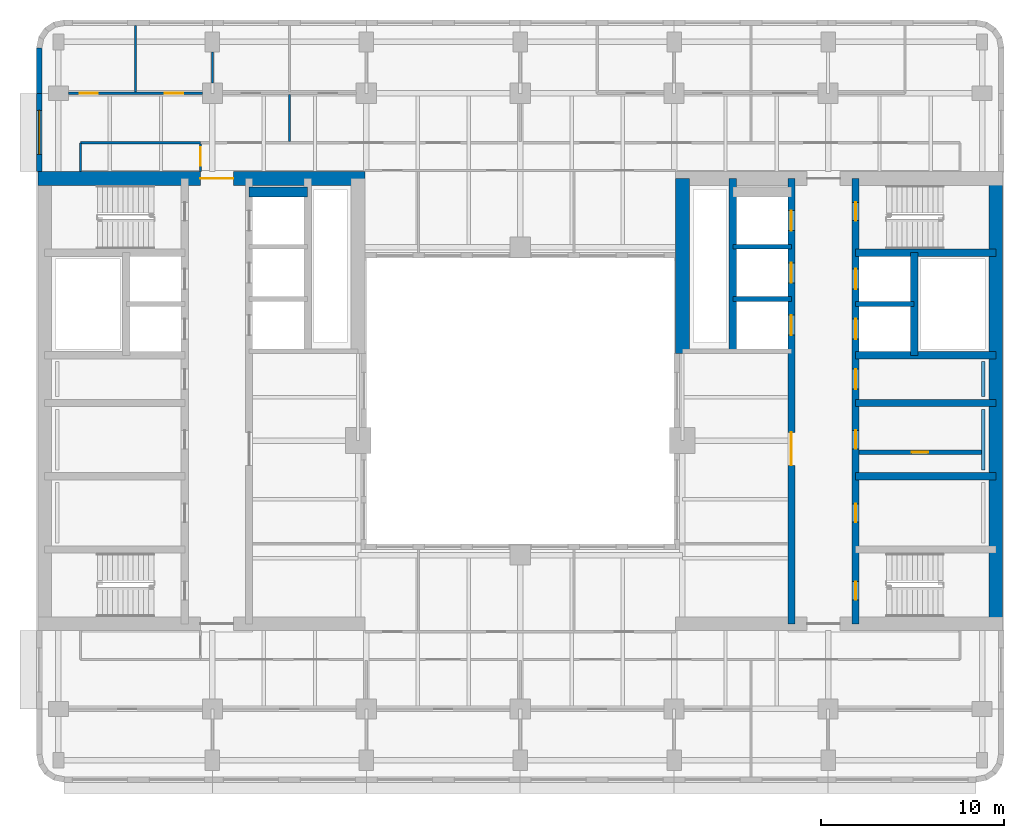
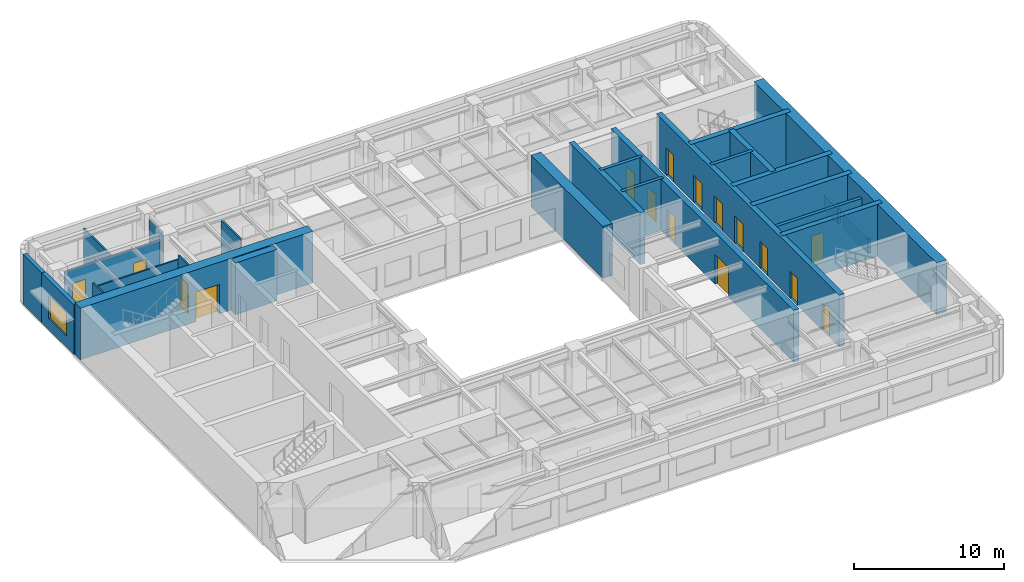
# One storey, part 6 of 11: 27 walls, 16 doors, 1 window, 17 openings.
"""IFC4 building model written with IfcOpenShell, lengths in metres."""

import ifcopenshell
import ifcopenshell.guid

model = None  # the IFC model being written
_history = None  # IfcOwnerHistory: only IFC2X3 demands one
_inside = {}  # id of a spatial element -> (the spatial element, [elements in it])
_under = {}  # id of a project, library or spatial element -> (it, [spatial elements below it])
_declared = {}  # id of a project -> (the project, [libraries it declares])
_typed = {}  # id of a type object -> (the type object, [elements of that type])
_made_of = {}  # id of a material, layer set ... -> (it, [elements and type objects made of it])


def new_model(schema):
    """Start an empty IFC model of exactly this schema.

    Asked for "IFC4X3", IfcOpenShell would pick the latest addendum, in which some entities
    have other attributes; the version numbers below select the first issue.
    IFC2X3 requires an IfcOwnerHistory on every rooted entity: one is made here for all.
    """
    global model, _history
    if schema == "IFC4X3":
        model = ifcopenshell.file(schema_version=(4, 3, 0, 0))
    else:
        model = ifcopenshell.file(schema=schema)
    _inside.clear()
    _under.clear()
    _declared.clear()
    _typed.clear()
    _made_of.clear()
    _history = None
    if model.schema == "IFC2X3":
        org = make("IfcOrganization", Name="unknown")
        user = make(
            "IfcPersonAndOrganization",
            ThePerson=make("IfcPerson", FamilyName="unknown"),
            TheOrganization=org,
        )
        app = make(
            "IfcApplication",
            ApplicationDeveloper=org,
            Version="unknown",
            ApplicationFullName="unknown",
            ApplicationIdentifier="unknown",
        )
        _history = make(
            "IfcOwnerHistory",
            OwningUser=user,
            OwningApplication=app,
            ChangeAction="ADDED",
            CreationDate=0,
        )
    return model


def make(cls, **values):
    """One entity of the class cls with the attributes given. An attribute that is None is left unset."""
    return model.create_entity(
        cls, **{name: value for name, value in values.items() if value is not None}
    )


def rooted(cls, **values):
    """An entity with a GlobalId (a new one), such as an element, a storey or a relation."""
    return make(cls, GlobalId=ifcopenshell.guid.new(), OwnerHistory=_history, **values)


def si_unit(unit_type, name, prefix=None):
    """IfcSIUnit, for example si_unit("LENGTHUNIT", "METRE", prefix="MILLI")."""
    return make("IfcSIUnit", UnitType=unit_type, Prefix=prefix, Name=name)


def assignment(units):
    """IfcUnitAssignment: the units of a project."""
    return None if units is None else make("IfcUnitAssignment", Units=units)


def point(xyz):
    """IfcCartesianPoint."""
    return None if xyz is None else make("IfcCartesianPoint", Coordinates=xyz)


def direction(xyz):
    """IfcDirection."""
    return None if xyz is None else make("IfcDirection", DirectionRatios=xyz)


def frame(location, z_axis=None, x_axis=None):
    """IfcAxis2Placement3D, a coordinate frame: its origin and axes. An axis left out is left unset."""
    return make(
        "IfcAxis2Placement3D",
        Location=point(location),
        Axis=direction(z_axis),
        RefDirection=direction(x_axis),
    )


def frame_2d(location, x_axis=None):
    """IfcAxis2Placement2D, a coordinate frame in the plane: its origin and x axis."""
    return make(
        "IfcAxis2Placement2D", Location=point(location), RefDirection=direction(x_axis)
    )


def origin():
    """The frame at (0, 0, 0) with its axes left unset."""
    return frame((0.0, 0.0, 0.0))


def place(relative_to, where):
    """IfcLocalPlacement: puts the frame where relative to a parent placement (None: the world)."""
    return make(
        "IfcLocalPlacement", PlacementRelTo=relative_to, RelativePlacement=where
    )


def context(
    kind, dimensions, precision=None, world=None, true_north=None, identifier=None
):
    """IfcGeometricRepresentationContext, for example the 3D "Model" context."""
    return make(
        "IfcGeometricRepresentationContext",
        ContextIdentifier=identifier,
        ContextType=kind,
        CoordinateSpaceDimension=dimensions,
        Precision=precision,
        WorldCoordinateSystem=world,
        TrueNorth=true_north,
    )


def subcontext(parent, identifier, kind, view, scale=None):
    """IfcGeometricRepresentationSubContext, for example "Body" below "Model"."""
    return make(
        "IfcGeometricRepresentationSubContext",
        ContextIdentifier=identifier,
        ContextType=kind,
        ParentContext=parent,
        TargetScale=scale,
        TargetView=view,
    )


def project(units=None, contexts=None):
    """IfcProject with its units and contexts."""
    return rooted(
        "IfcProject",
        Name="project",
        RepresentationContexts=contexts,
        UnitsInContext=assignment(units),
    )


def spatial(cls, under=None, at=None, **own):
    """A site, building, storey or space (cls), placed at a placement, below another one or the project."""
    s = rooted(cls, ObjectPlacement=at, **own)
    if under is not None:
        _under.setdefault(under.id(), (under, []))[1].append(s)
    return s


def profile(cls, at=None, kind="AREA", **sizes):
    """A parametric profile (cls). Its sizes go by their IFC names, for example OverallWidth=200.0."""
    return make(cls, ProfileType=kind, Position=at, **sizes)


def rectangle(**sizes):
    """IfcRectangleProfileDef."""
    return profile("IfcRectangleProfileDef", **sizes)


def extrude(swept, where, along, depth):
    """IfcExtrudedAreaSolid: the profile swept, set in the frame where, extruded along a direction by depth."""
    return make(
        "IfcExtrudedAreaSolid",
        SweptArea=swept,
        Position=where,
        ExtrudedDirection=direction(along),
        Depth=depth,
    )


def shape(context_of_items, identifier, shape_type, items):
    """IfcShapeRepresentation: the items that make up one representation, for example the "Body"."""
    return make(
        "IfcShapeRepresentation",
        ContextOfItems=context_of_items,
        RepresentationIdentifier=identifier,
        RepresentationType=shape_type,
        Items=items,
    )


def material(Name=None, Category=None):
    """IfcMaterial."""
    return make("IfcMaterial", Name=Name, Category=Category)


def layer(
    of_material, thickness, ventilated=None, Name=None, Category=None, Priority=None
):
    """IfcMaterialLayer: one layer of a wall or slab, of a material (None: an air gap)."""
    return make(
        "IfcMaterialLayer",
        Material=of_material,
        LayerThickness=thickness,
        IsVentilated=ventilated,
        Name=Name,
        Category=Category,
        Priority=Priority,
    )


def layer_set(layers, Name=None):
    """IfcMaterialLayerSet."""
    return make("IfcMaterialLayerSet", MaterialLayers=layers, LayerSetName=Name)


def made_of(thing, what):
    """Note that an element or type object is made of a material, layer set ...; save() writes the relation."""
    if what is not None:
        _made_of.setdefault(what.id(), (what, []))[1].append(thing)
    return thing


def type_object(cls, material=None, **own):
    """A type object (cls), such as IfcWallType, which elements share."""
    return made_of(rooted(cls, **own), material)


def element(
    cls,
    number,
    at=None,
    inside=None,
    cuts=None,
    type_object=None,
    material=None,
    context=None,
    identifier="Body",
    shape_type=None,
    held_by="IfcProductDefinitionShape",
    body=None,
    shapes=None,
    **own,
):
    """One element of the class cls, such as IfcWall. Its Tag is "e" and its number.

    at: its placement. inside: the storey or other place that contains it. cuts: it is an
    opening in that element (IfcRelVoidsElement). A single representation is given by context,
    identifier, shape_type and body (its items); several are given by shapes. held_by: the class
    of the entity that holds the representations. save() writes the other relations.
    """
    e = rooted(cls, Tag="e%d" % number, ObjectPlacement=at, **own)
    if body is not None:
        shapes = [shape(context, identifier, shape_type, body)]
    if shapes is not None:
        e.Representation = make(held_by, Representations=shapes)
    if inside is not None:
        _inside.setdefault(inside.id(), (inside, []))[1].append(e)
    if cuts is not None:
        rooted(
            "IfcRelVoidsElement", RelatingBuildingElement=cuts, RelatedOpeningElement=e
        )
    if type_object is not None:
        _typed.setdefault(type_object.id(), (type_object, []))[1].append(e)
    return made_of(e, material)


def fill(opening, filler):
    """IfcRelFillsElement: the door or window that sits in an opening."""
    return rooted(
        "IfcRelFillsElement",
        RelatingOpeningElement=opening,
        RelatedBuildingElement=filler,
    )


def aggregate(whole, parts):
    """IfcRelAggregates: a whole, such as a stair, and the parts it consists of."""
    return rooted("IfcRelAggregates", RelatingObject=whole, RelatedObjects=parts)


def save(model, path):
    """Write the relations noted so far, then the file.

    IfcRelAggregates (storeys below a building ...), IfcRelContainedInSpatialStructure (elements
    in a storey), IfcRelDefinesByType, IfcRelAssociatesMaterial and IfcRelDeclares: one each for
    every whole, place, type object, material and project.
    """
    for whole, parts in _under.values():
        aggregate(whole, parts)
    for where, things in _inside.values():
        rooted(
            "IfcRelContainedInSpatialStructure",
            RelatedElements=things,
            RelatingStructure=where,
        )
    for kind, things in _typed.values():
        rooted("IfcRelDefinesByType", RelatedObjects=things, RelatingType=kind)
    for what, things in _made_of.values():
        rooted("IfcRelAssociatesMaterial", RelatedObjects=things, RelatingMaterial=what)
    for by, libraries in _declared.values():
        rooted("IfcRelDeclares", RelatingContext=by, RelatedDefinitions=libraries)
    model.write(path)


model = new_model("IFC4")

# Units and contexts
model_context = context("Model", 3, precision=1e-05, world=origin(), true_north=direction((0.0, 1.0)))
body_context = subcontext(model_context, "Body", "Model", "MODEL_VIEW")
ifc_project = project(units=[si_unit("LENGTHUNIT", "METRE"), si_unit("AREAUNIT", "SQUARE_METRE"), si_unit("VOLUMEUNIT", "CUBIC_METRE"), si_unit("PLANEANGLEUNIT", "RADIAN"), si_unit("MASSUNIT", "GRAM", prefix="KILO")], contexts=[model_context])

# Site, building, storey
site_placement = place(None, origin())
site = spatial("IfcSite", under=ifc_project, at=site_placement, CompositionType="ELEMENT")
building_placement = place(site_placement, origin())
building = spatial("IfcBuilding", under=site, at=building_placement, Name="Claustro Exchange Tower", CompositionType="ELEMENT")
storey_placement = place(building_placement, frame((0.0, 0.0, 219.60009765625)))
storey = spatial("IfcBuildingStorey", under=building, at=storey_placement, Name="L50", CompositionType="ELEMENT", Elevation=219.60009765625)

# Wall, openings, doors
ifc_material_1 = material(Name="Laminated glass in aluminium frame", Category="aluminium")
ifc_layer_1 = layer(ifc_material_1, 0.1201171875)
ifc_layer_set_1 = layer_set([ifc_layer_1], Name="Laminated glass in aluminium frame")
wall_type_1 = type_object("IfcWallType", Name="P2 120 glazed partition", PredefinedType="PARTITIONING", material=ifc_layer_set_1)
wall_1_placement = place(storey_placement, frame((0.549072265625, 42.0, 0.0), z_axis=(0.0, 0.0, 1.0), x_axis=(1.0, 0.0, 0.0)))
wall_1 = element("IfcWall", 1, at=wall_1_placement, inside=storey, type_object=wall_type_1, Name="Partition P2 L50", PredefinedType="PARTITIONING", context=body_context, shape_type="SweptSolid", body=[
    extrude(rectangle(XDim=7.302001953125, YDim=0.1201171875, at=frame_2d((3.65087890625, 0.0))), origin(), (0.0, 0.0, 1.0), 3.5498046875),
])
opening_1_placement = place(wall_1_placement, frame((0.60107421875, 0.0, 0.0)))
opening_1 = element("IfcOpeningElement", 2, at=opening_1_placement, cuts=wall_1, Name="Opening D7", PredefinedType="OPENING", context=body_context, shape_type="SweptSolid", body=[
    extrude(rectangle(XDim=1.0, YDim=2.39990234375, at=frame_2d((0.5, 1.199951171875))), frame((0.0, 0.070068359375, 0.0), z_axis=(0.0, -1.0, 0.0), x_axis=(1.0, 0.0, 0.0)), (0.0, 0.0, 1.0), 0.14013671875),
])
opening_2_placement = place(wall_1_placement, frame((5.2509765625, 0.0, 0.0)))
opening_2 = element("IfcOpeningElement", 3, at=opening_2_placement, cuts=wall_1, Name="Opening D7", PredefinedType="OPENING", context=body_context, shape_type="SweptSolid", body=[
    extrude(rectangle(XDim=1.0, YDim=2.39990234375, at=frame_2d((0.5, 1.199951171875))), frame((0.0, 0.070068359375, 0.0), z_axis=(0.0, -1.0, 0.0), x_axis=(1.0, 0.0, 0.0)), (0.0, 0.0, 1.0), 0.14013671875),
])
ifc_material_2 = material(Name="Glass door in aluminium frame", Category="aluminium")
door_type_1 = type_object("IfcDoorType", Name="D7 1000 x 2400 glazed door", OperationType="SINGLE_SWING_LEFT", PredefinedType="DOOR", material=ifc_material_2)
door_1_placement = place(opening_1_placement, origin())
door_1 = element("IfcDoor", 4, at=door_1_placement, inside=storey, type_object=door_type_1, Name="Door D7 L50", OperationType="SINGLE_SWING_RIGHT", OverallHeight=2.39990234375, OverallWidth=1.0, PredefinedType="DOOR", context=body_context, shape_type="SweptSolid", body=[
    extrude(rectangle(XDim=1.0, YDim=2.39990234375, at=frame_2d((0.5, 1.199951171875))), frame((0.0, 0.02490234375, 0.0), z_axis=(0.0, -1.0, 0.0), x_axis=(1.0, 0.0, 0.0)), (0.0, 0.0, 1.0), 0.050048828125),
])
fill(opening_1, door_1)
door_2_placement = place(opening_2_placement, origin())
door_2 = element("IfcDoor", 5, at=door_2_placement, inside=storey, type_object=door_type_1, Name="Door D7 L50", OperationType="SINGLE_SWING_RIGHT", OverallHeight=2.39990234375, OverallWidth=1.0, PredefinedType="DOOR", context=body_context, shape_type="SweptSolid", body=[
    extrude(rectangle(XDim=1.0, YDim=2.39990234375, at=frame_2d((0.5, 1.199951171875))), frame((0.0, 0.02490234375, 0.0), z_axis=(0.0, -1.0, 0.0), x_axis=(1.0, 0.0, 0.0)), (0.0, 0.0, 1.0), 0.050048828125),
])
fill(opening_2, door_2)

# Walls
wall_2_placement = place(storey_placement, frame((4.199951171875, 42.05810546875, 0.0), z_axis=(0.0, 0.0, 1.0), x_axis=(0.0, 1.0, 0.0)))
element("IfcWall", 6, at=wall_2_placement, inside=storey, type_object=wall_type_1, Name="Partition P2 L50", PredefinedType="PARTITIONING", context=body_context, shape_type="SweptSolid", body=[
    extrude(rectangle(XDim=3.643798828125, YDim=0.1201171875, at=frame_2d((1.82177734375, 0.0))), origin(), (0.0, 0.0, 1.0), 3.5498046875),
])
wall_3_placement = place(storey_placement, frame((8.39990234375, 42.549072265625, 0.0), z_axis=(0.0, 0.0, 1.0), x_axis=(0.0, 1.0, 0.0)))
element("IfcWall", 7, at=wall_3_placement, inside=storey, type_object=wall_type_1, Name="Partition P2 L50", PredefinedType="PARTITIONING", context=body_context, shape_type="SweptSolid", body=[
    extrude(rectangle(XDim=1.701904296875, YDim=0.1201171875, at=frame_2d((0.85107421875, 0.0))), origin(), (0.0, 0.0, 1.0), 3.68994140625),
])
wall_4_placement = place(storey_placement, frame((12.60009765625, 39.35791015625, 0.0), z_axis=(0.0, 0.0, 1.0), x_axis=(0.0, 1.0, 0.0)))
element("IfcWall", 8, at=wall_4_placement, inside=storey, type_object=wall_type_1, Name="Partition P2 L50", PredefinedType="PARTITIONING", context=body_context, shape_type="SweptSolid", body=[
    extrude(rectangle(XDim=2.583984375, YDim=0.1201171875, at=frame_2d((1.2919921875, 0.0))), origin(), (0.0, 0.0, 1.0), 3.5498046875),
])

# Wall, opening, door
wall_5_placement = place(storey_placement, frame((7.75, 37.72412109375, 0.0), z_axis=(0.0, 0.0, 1.0), x_axis=(0.0, 1.0, 0.0)))
wall_5 = element("IfcWall", 9, at=wall_5_placement, inside=storey, type_object=wall_type_1, Name="Partition P2 L50", PredefinedType="PARTITIONING", context=body_context, shape_type="SweptSolid", body=[
    extrude(rectangle(XDim=1.517822265625, YDim=0.1201171875, at=frame_2d((0.7587890625, 0.0))), origin(), (0.0, 0.0, 1.0), 4.0498046875),
])
opening_3_placement = place(wall_5_placement, frame((0.325927734375, 0.0, 0.0)))
opening_3 = element("IfcOpeningElement", 10, at=opening_3_placement, cuts=wall_5, Name="Opening D7", PredefinedType="OPENING", context=body_context, shape_type="SweptSolid", body=[
    extrude(rectangle(XDim=1.0, YDim=2.39990234375, at=frame_2d((0.5, 1.199951171875))), frame((0.0, 0.070068359375, 0.0), z_axis=(0.0, -1.0, 0.0), x_axis=(1.0, 0.0, 0.0)), (0.0, 0.0, 1.0), 0.14013671875),
])
door_3_placement = place(opening_3_placement, origin())
door_3 = element("IfcDoor", 11, at=door_3_placement, inside=storey, type_object=door_type_1, Name="Door D7 L50", OperationType="SINGLE_SWING_LEFT", OverallHeight=2.39990234375, OverallWidth=1.0, PredefinedType="DOOR", context=body_context, shape_type="SweptSolid", body=[
    extrude(rectangle(XDim=1.0, YDim=2.39990234375, at=frame_2d((0.5, 1.199951171875))), frame((0.0, 0.02490234375, 0.0), z_axis=(0.0, -1.0, 0.0), x_axis=(1.0, 0.0, 0.0)), (0.0, 0.0, 1.0), 0.050048828125),
])
fill(opening_3, door_3)

# Walls
wall_6_placement = place(storey_placement, frame((1.199951171875, 39.300048828125, 0.0), z_axis=(0.0, 0.0, 1.0), x_axis=(1.0, 0.0, 0.0)))
element("IfcWall", 12, at=wall_6_placement, inside=storey, type_object=wall_type_1, Name="Partition P2 L50", PredefinedType="PARTITIONING", context=body_context, shape_type="SweptSolid", body=[
    extrude(rectangle(XDim=6.552001953125, YDim=0.1201171875, at=frame_2d((3.27587890625, 0.0))), origin(), (0.0, 0.0, 1.0), 3.68994140625),
])
wall_7_placement = place(storey_placement, frame((1.199951171875, 37.72412109375, 0.0), z_axis=(0.0, 0.0, 1.0), x_axis=(0.0, 1.0, 0.0)))
element("IfcWall", 13, at=wall_7_placement, inside=storey, type_object=wall_type_1, Name="Partition P2 L50", PredefinedType="PARTITIONING", context=body_context, shape_type="SweptSolid", body=[
    extrude(rectangle(XDim=1.575927734375, YDim=0.1201171875, at=frame_2d((0.7880859375, 0.0))), origin(), (0.0, 0.0, 1.0), 4.0498046875),
])

# Wall, opening, door
ifc_material_3 = material(Name="Concrete blockwork, rendered", Category="masonry")
ifc_layer_2 = layer(ifc_material_3, 0.25)
ifc_layer_set_2 = layer_set([ifc_layer_2], Name="Concrete blockwork, rendered")
wall_type_2 = type_object("IfcWallType", Name="P4 250 blockwork wall", PredefinedType="PARTITIONING", material=ifc_layer_set_2)
wall_8_placement = place(storey_placement, frame((43.699951171875, 22.39990234375, 0.0), z_axis=(0.0, 0.0, 1.0), x_axis=(1.0, 0.0, 0.0)))
wall_8 = element("IfcWall", 14, at=wall_8_placement, inside=storey, type_object=wall_type_2, Name="Partition P4 L50", PredefinedType="PARTITIONING", context=body_context, shape_type="SweptSolid", body=[
    extrude(rectangle(XDim=6.675048828125, YDim=0.25, at=frame_2d((3.33740234375, 0.0))), origin(), (0.0, 0.0, 1.0), 4.0),
])
opening_4_placement = place(wall_8_placement, frame((2.862548828125, 0.0, 0.0)))
opening_4 = element("IfcOpeningElement", 15, at=opening_4_placement, cuts=wall_8, Name="Opening D5", PredefinedType="OPENING", context=body_context, shape_type="SweptSolid", body=[
    extrude(rectangle(XDim=0.89990234375, YDim=2.199951171875, at=frame_2d((0.449951171875, 1.10009765625))), frame((0.0, 0.135009765625, 0.0), z_axis=(0.0, -1.0, 0.0), x_axis=(1.0, 0.0, 0.0)), (0.0, 0.0, 1.0), 0.27001953125),
])
ifc_material_4 = material(Name="Steel door, painted", Category="steel")
door_type_2 = type_object("IfcDoorType", Name="D5 900 x 2200 store door", OperationType="SINGLE_SWING_LEFT", PredefinedType="DOOR", material=ifc_material_4)
door_4_placement = place(opening_4_placement, frame((0.89990234375, 0.0, 0.0), z_axis=(0.0, 0.0, 1.0), x_axis=(-1.0, 0.0, 0.0)))
door_4 = element("IfcDoor", 16, at=door_4_placement, inside=storey, type_object=door_type_2, Name="Store door D5 L50", OperationType="SINGLE_SWING_RIGHT", OverallHeight=2.199951171875, OverallWidth=0.89990234375, PredefinedType="DOOR", context=body_context, shape_type="SweptSolid", body=[
    extrude(rectangle(XDim=0.89990234375, YDim=2.199951171875, at=frame_2d((0.449951171875, 1.10009765625))), frame((0.0, 0.02490234375, 0.0), z_axis=(0.0, -1.0, 0.0), x_axis=(1.0, 0.0, 0.0)), (0.0, 0.0, 1.0), 0.050048828125),
])
fill(opening_4, door_4)

# Wall, opening, window
ifc_material_5 = material(Name="Concrete HA-40 (C40/50), precast, white cement, acid-etched", Category="concrete")
ifc_layer_3 = layer(ifc_material_5, 0.300048828125)
ifc_layer_set_3 = layer_set([ifc_layer_3], Name="Concrete HA-40 (C40/50), precast, white cement, acid-etched")
wall_type_3 = type_object("IfcWallType", Name="PC1 300 precast concrete pier panel", PredefinedType="SOLIDWALL", material=ifc_layer_set_3)
wall_9_placement = place(storey_placement, frame((-1.050048828125, 37.72509765625, 0.0), z_axis=(0.0, 0.0, 1.0), x_axis=(0.0, 1.0, 0.0)))
wall_9 = element("IfcWall", 17, at=wall_9_placement, inside=storey, type_object=wall_type_3, Name="Precast pier panel PC1 L50", PredefinedType="SOLIDWALL", context=body_context, shape_type="SweptSolid", body=[
    extrude(rectangle(XDim=4.27490234375, YDim=0.300048828125, at=frame_2d((2.137451171875, 0.0))), origin(), (0.0, 0.0, 1.0), 4.0498046875),
])
opening_5_placement = place(wall_9_placement, frame((0.9375, 0.0, 0.89990234375)))
opening_5 = element("IfcOpeningElement", 18, at=opening_5_placement, cuts=wall_9, Name="Opening W2", PredefinedType="OPENING", context=body_context, shape_type="SweptSolid", body=[
    extrude(rectangle(XDim=2.39990234375, YDim=1.89990234375, at=frame_2d((1.199951171875, 0.949951171875))), frame((0.0, 0.159912109375, 0.0), z_axis=(0.0, -1.0, 0.0), x_axis=(1.0, 0.0, 0.0)), (0.0, 0.0, 1.0), 0.320068359375),
])
ifc_material_6 = material(Name="Aluminium frame, clear double glazing", Category="aluminium")
window_type = type_object("IfcWindowType", Name="W2 2400 x 1900 window", PartitioningType="SINGLE_PANEL", PredefinedType="WINDOW", material=ifc_material_6)
window_placement = place(opening_5_placement, origin())
window = element("IfcWindow", 19, at=window_placement, inside=storey, type_object=window_type, Name="Window W2 L50", OverallHeight=1.89990234375, OverallWidth=2.39990234375, PartitioningType="SINGLE_PANEL", PredefinedType="WINDOW", context=body_context, shape_type="SweptSolid", body=[
    extrude(rectangle(XDim=2.39990234375, YDim=1.89990234375, at=frame_2d((1.199951171875, 0.949951171875))), frame((0.0, 0.030029296875, 0.0), z_axis=(0.0, -1.0, 0.0), x_axis=(1.0, 0.0, 0.0)), (0.0, 0.0, 1.0), 0.06005859375),
])
fill(opening_5, window)

# Walls
wall_10_placement = place(storey_placement, frame((-1.050048828125, 42.0, 0.0), z_axis=(0.0, 0.0, 1.0), x_axis=(0.0, 1.0, 0.0)))
element("IfcWall", 20, at=wall_10_placement, inside=storey, type_object=wall_type_3, Name="Precast pier panel PC1 L50", PredefinedType="SOLIDWALL", context=body_context, shape_type="SweptSolid", body=[
    extrude(rectangle(XDim=2.485107421875, YDim=0.300048828125, at=frame_2d((1.24267578125, 0.0))), origin(), (0.0, 0.0, 1.0), 4.0498046875),
])
ifc_material_7 = material(Name="Gypsum board on steel studs, tiled", Category="steel")
ifc_layer_4 = layer(ifc_material_7, 0.199951171875)
ifc_layer_set_4 = layer_set([ifc_layer_4], Name="Gypsum board on steel studs, tiled")
wall_type_4 = type_object("IfcWallType", Name="PW1 200 WC duct wall", PredefinedType="PLUMBINGWALL", material=ifc_layer_set_4)
wall_11_placement = place(storey_placement, frame((50.47509765625, 21.449951171875, 0.0), z_axis=(0.0, 0.0, 1.0), x_axis=(0.0, 1.0, 0.0)))
element("IfcWall", 21, at=wall_11_placement, inside=storey, type_object=wall_type_4, Name="WC duct wall PW1 L50", PredefinedType="PLUMBINGWALL", context=body_context, shape_type="SweptSolid", body=[
    extrude(rectangle(XDim=3.300048828125, YDim=0.199951171875, at=frame_2d((1.64990234375, 0.0))), origin(), (0.0, 0.0, 1.0), 1.199951171875),
])
wall_12_placement = place(storey_placement, frame((50.47509765625, 25.449951171875, 0.0), z_axis=(0.0, 0.0, 1.0), x_axis=(0.0, 1.0, 0.0)))
element("IfcWall", 22, at=wall_12_placement, inside=storey, type_object=wall_type_4, Name="WC duct wall PW1 L50", PredefinedType="PLUMBINGWALL", context=body_context, shape_type="SweptSolid", body=[
    extrude(rectangle(XDim=1.900146484375, YDim=0.199951171875, at=frame_2d((0.9501953125, 0.0))), origin(), (0.0, 0.0, 1.0), 1.199951171875),
])

# Wall, opening, door
ifc_material_8 = material(Name="Concrete HA-70 (C70/85)", Category="concrete")
ifc_layer_5 = layer(ifc_material_8, 0.75)
ifc_layer_set_5 = layer_set([ifc_layer_5], Name="Concrete HA-70 (C70/85)")
wall_type_5 = type_object("IfcWallType", Name="SW2 750 core shear wall", PredefinedType="SHEAR", material=ifc_layer_set_5)
wall_13_placement = place(storey_placement, frame((-1.125, 37.35009765625, 0.0), z_axis=(0.0, 0.0, 1.0), x_axis=(1.0, 0.0, 0.0)))
wall_13 = element("IfcWall", 23, at=wall_13_placement, inside=storey, type_object=wall_type_5, Name="Core wall SW2 W core N face L50", PredefinedType="SHEAR", context=body_context, shape_type="SweptSolid", body=[
    extrude(rectangle(XDim=17.85009765625, YDim=0.75, at=frame_2d((8.925048828125, 0.0))), origin(), (0.0, 0.0, 1.0), 4.199951171875),
])
opening_6_placement = place(wall_13_placement, frame((8.875, 0.0, 0.0)))
opening_6 = element("IfcOpeningElement", 24, at=opening_6_placement, cuts=wall_13, Name="Opening D3", PredefinedType="OPENING", context=body_context, shape_type="SweptSolid", body=[
    extrude(rectangle(XDim=1.800048828125, YDim=2.39990234375, at=frame_2d((0.89990234375, 1.199951171875))), frame((0.0, 0.385009765625, 0.0), z_axis=(0.0, -1.0, 0.0), x_axis=(1.0, 0.0, 0.0)), (0.0, 0.0, 1.0), 0.77001953125),
])
ifc_material_9 = material(Name="Steel fire door, painted", Category="steel")
door_type_3 = type_object("IfcDoorType", Name="D3 1800 x 2400 fire-rated lobby double door", OperationType="DOUBLE_DOOR_SINGLE_SWING", PredefinedType="DOOR", material=ifc_material_9)
door_5_placement = place(opening_6_placement, frame((1.800048828125, 0.0, 0.0), z_axis=(0.0, 0.0, 1.0), x_axis=(-1.0, 0.0, 0.0)))
door_5 = element("IfcDoor", 25, at=door_5_placement, inside=storey, type_object=door_type_3, Name="Lift lobby door D3 L50", OperationType="DOUBLE_DOOR_SINGLE_SWING", OverallHeight=2.39990234375, OverallWidth=1.800048828125, PredefinedType="DOOR", context=body_context, shape_type="SweptSolid", body=[
    extrude(rectangle(XDim=1.800048828125, YDim=2.39990234375, at=frame_2d((0.89990234375, 1.199951171875))), frame((0.0, 0.02490234375, 0.0), z_axis=(0.0, -1.0, 0.0), x_axis=(1.0, 0.0, 0.0)), (0.0, 0.0, 1.0), 0.050048828125),
])
fill(opening_6, door_5)

# Walls
ifc_material_10 = material(Name="Concrete HA-70 (C70/85)", Category="concrete")
ifc_layer_6 = layer(ifc_material_10, 0.75)
ifc_layer_set_6 = layer_set([ifc_layer_6], Name="Concrete HA-70 (C70/85)")
wall_type_6 = type_object("IfcWallType", Name="SW2X 750 exposed core shear wall, board-marked face", PredefinedType="SHEAR", material=ifc_layer_set_6)
wall_14_placement = place(storey_placement, frame((34.050048828125, 27.800048828125, 0.0), z_axis=(0.0, 0.0, 1.0), x_axis=(0.0, 1.0, 0.0)))
element("IfcWall", 26, at=wall_14_placement, inside=storey, type_object=wall_type_6, Name="Core wall SW2X E core W face L50", PredefinedType="SHEAR", context=body_context, shape_type="SweptSolid", body=[
    extrude(rectangle(XDim=9.550048828125, YDim=0.75, at=frame_2d((4.77490234375, 0.0))), origin(), (0.0, 0.0, 1.0), 4.199951171875),
])
wall_15_placement = place(storey_placement, frame((51.14990234375, 13.050048828125, 0.0), z_axis=(0.0, 0.0, 1.0), x_axis=(0.0, 1.0, 0.0)))
element("IfcWall", 27, at=wall_15_placement, inside=storey, type_object=wall_type_6, Name="Core wall SW2X E core E face L50", PredefinedType="SHEAR", context=body_context, shape_type="SweptSolid", body=[
    extrude(rectangle(XDim=24.300048828125, YDim=0.75, at=frame_2d((12.14990234375, 0.0))), origin(), (0.0, 0.0, 1.0), 4.199951171875),
])

# Wall, openings, doors
ifc_material_11 = material(Name="Concrete HA-50 (C50/60)", Category="concrete")
ifc_layer_7 = layer(ifc_material_11, 0.39990234375)
ifc_layer_set_7 = layer_set([ifc_layer_7], Name="Concrete HA-50 (C50/60)")
wall_type_7 = type_object("IfcWallType", Name="SW4 400 internal core wall", PredefinedType="SHEAR", material=ifc_layer_set_7)
wall_16_placement = place(storey_placement, frame((43.5, 13.050048828125, 0.0), z_axis=(0.0, 0.0, 1.0), x_axis=(0.0, 1.0, 0.0)))
wall_16 = element("IfcWall", 28, at=wall_16_placement, inside=storey, type_object=wall_type_7, Name="Internal core wall SW4 E core L50", PredefinedType="SHEAR", context=body_context, shape_type="SweptSolid", body=[
    extrude(rectangle(XDim=24.300048828125, YDim=0.39990234375, at=frame_2d((12.14990234375, 0.0))), origin(), (0.0, 0.0, 1.0), 4.199951171875),
])
opening_7_placement = place(wall_16_placement, frame((1.300048828125, 0.0, 0.0)))
opening_7 = element("IfcOpeningElement", 29, at=opening_7_placement, cuts=wall_16, Name="Opening D4", PredefinedType="OPENING", context=body_context, shape_type="SweptSolid", body=[
    extrude(rectangle(XDim=1.0, YDim=2.199951171875, at=frame_2d((0.5, 1.10009765625))), frame((0.0, 0.2099609375, 0.0), z_axis=(0.0, -1.0, 0.0), x_axis=(1.0, 0.0, 0.0)), (0.0, 0.0, 1.0), 0.419921875),
])
opening_8_placement = place(wall_16_placement, frame((22.0, 0.0, 0.0)))
opening_8 = element("IfcOpeningElement", 30, at=opening_8_placement, cuts=wall_16, Name="Opening D4", PredefinedType="OPENING", context=body_context, shape_type="SweptSolid", body=[
    extrude(rectangle(XDim=1.0, YDim=2.199951171875, at=frame_2d((0.5, 1.10009765625))), frame((0.0, 0.2099609375, 0.0), z_axis=(0.0, -1.0, 0.0), x_axis=(1.0, 0.0, 0.0)), (0.0, 0.0, 1.0), 0.419921875),
])
opening_9_placement = place(wall_16_placement, frame((5.550048828125, 0.0, 0.0)))
opening_9 = element("IfcOpeningElement", 31, at=opening_9_placement, cuts=wall_16, Name="Opening D1", PredefinedType="OPENING", context=body_context, shape_type="SweptSolid", body=[
    extrude(rectangle(XDim=1.0, YDim=2.199951171875, at=frame_2d((0.5, 1.10009765625))), frame((0.0, 0.2099609375, 0.0), z_axis=(0.0, -1.0, 0.0), x_axis=(1.0, 0.0, 0.0)), (0.0, 0.0, 1.0), 0.419921875),
])
opening_10_placement = place(wall_16_placement, frame((9.550048828125, 0.0, 0.0)))
opening_10 = element("IfcOpeningElement", 32, at=opening_10_placement, cuts=wall_16, Name="Opening D1", PredefinedType="OPENING", context=body_context, shape_type="SweptSolid", body=[
    extrude(rectangle(XDim=1.0, YDim=2.199951171875, at=frame_2d((0.5, 1.10009765625))), frame((0.0, 0.2099609375, 0.0), z_axis=(0.0, -1.0, 0.0), x_axis=(1.0, 0.0, 0.0)), (0.0, 0.0, 1.0), 0.419921875),
])
opening_11_placement = place(wall_16_placement, frame((12.800048828125, 0.0, 0.0)))
opening_11 = element("IfcOpeningElement", 33, at=opening_11_placement, cuts=wall_16, Name="Opening D10", PredefinedType="OPENING", context=body_context, shape_type="SweptSolid", body=[
    extrude(rectangle(XDim=1.10009765625, YDim=2.199951171875, at=frame_2d((0.550048828125, 1.10009765625))), frame((0.0, 0.2099609375, 0.0), z_axis=(0.0, -1.0, 0.0), x_axis=(1.0, 0.0, 0.0)), (0.0, 0.0, 1.0), 0.419921875),
])
opening_12_placement = place(wall_16_placement, frame((15.53759765625, 0.0, 0.0)))
opening_12 = element("IfcOpeningElement", 34, at=opening_12_placement, cuts=wall_16, Name="Opening LD", PredefinedType="OPENING", context=body_context, shape_type="SweptSolid", body=[
    extrude(rectangle(XDim=1.10009765625, YDim=2.199951171875, at=frame_2d((0.550048828125, 1.10009765625))), frame((0.0, 0.2099609375, 0.0), z_axis=(0.0, -1.0, 0.0), x_axis=(1.0, 0.0, 0.0)), (0.0, 0.0, 1.0), 0.419921875),
])
opening_13_placement = place(wall_16_placement, frame((18.262451171875, 0.0, 0.0)))
opening_13 = element("IfcOpeningElement", 35, at=opening_13_placement, cuts=wall_16, Name="Opening LD", PredefinedType="OPENING", context=body_context, shape_type="SweptSolid", body=[
    extrude(rectangle(XDim=1.10009765625, YDim=2.199951171875, at=frame_2d((0.550048828125, 1.10009765625))), frame((0.0, 0.2099609375, 0.0), z_axis=(0.0, -1.0, 0.0), x_axis=(1.0, 0.0, 0.0)), (0.0, 0.0, 1.0), 0.419921875),
])
ifc_material_12 = material(Name="Timber door, oak veneer", Category="wood")
door_type_4 = type_object("IfcDoorType", Name="D1 1000 x 2200 single door", OperationType="SINGLE_SWING_LEFT", PredefinedType="DOOR", material=ifc_material_12)
door_6_placement = place(opening_9_placement, frame((1.0, 0.0, 0.0), z_axis=(0.0, 0.0, 1.0), x_axis=(-1.0, 0.0, 0.0)))
door_6 = element("IfcDoor", 36, at=door_6_placement, inside=storey, type_object=door_type_4, Name="Door D1 L50", OperationType="SINGLE_SWING_LEFT", OverallHeight=2.199951171875, OverallWidth=1.0, PredefinedType="DOOR", context=body_context, shape_type="SweptSolid", body=[
    extrude(rectangle(XDim=1.0, YDim=2.199951171875, at=frame_2d((0.5, 1.10009765625))), frame((0.0, 0.02490234375, 0.0), z_axis=(0.0, -1.0, 0.0), x_axis=(1.0, 0.0, 0.0)), (0.0, 0.0, 1.0), 0.050048828125),
])
fill(opening_9, door_6)
door_7_placement = place(opening_10_placement, frame((1.0, 0.0, 0.0), z_axis=(0.0, 0.0, 1.0), x_axis=(-1.0, 0.0, 0.0)))
door_7 = element("IfcDoor", 37, at=door_7_placement, inside=storey, type_object=door_type_4, Name="Door D1 L50", OperationType="SINGLE_SWING_RIGHT", OverallHeight=2.199951171875, OverallWidth=1.0, PredefinedType="DOOR", context=body_context, shape_type="SweptSolid", body=[
    extrude(rectangle(XDim=1.0, YDim=2.199951171875, at=frame_2d((0.5, 1.10009765625))), frame((0.0, 0.02490234375, 0.0), z_axis=(0.0, -1.0, 0.0), x_axis=(1.0, 0.0, 0.0)), (0.0, 0.0, 1.0), 0.050048828125),
])
fill(opening_10, door_7)
ifc_material_13 = material(Name="Timber door, oak veneer", Category="wood")
door_type_5 = type_object("IfcDoorType", Name="D10 1100 x 2200 accessible WC door", OperationType="SINGLE_SWING_LEFT", PredefinedType="DOOR", material=ifc_material_13)
door_8_placement = place(opening_11_placement, origin())
door_8 = element("IfcDoor", 38, at=door_8_placement, inside=storey, type_object=door_type_5, Name="Accessible WC door D10 L50", OperationType="SINGLE_SWING_RIGHT", OverallHeight=2.199951171875, OverallWidth=1.10009765625, PredefinedType="DOOR", context=body_context, shape_type="SweptSolid", body=[
    extrude(rectangle(XDim=1.10009765625, YDim=2.199951171875, at=frame_2d((0.550048828125, 1.10009765625))), frame((0.0, 0.02490234375, 0.0), z_axis=(0.0, -1.0, 0.0), x_axis=(1.0, 0.0, 0.0)), (0.0, 0.0, 1.0), 0.050048828125),
])
fill(opening_11, door_8)
ifc_material_14 = material(Name="Steel fire door, painted", Category="steel")
door_type_6 = type_object("IfcDoorType", Name="D4 1000 x 2200 fire-rated stair door", OperationType="SINGLE_SWING_LEFT", PredefinedType="DOOR", material=ifc_material_14)
door_9_placement = place(opening_7_placement, frame((1.0, 0.0, 0.0), z_axis=(0.0, 0.0, 1.0), x_axis=(-1.0, 0.0, 0.0)))
door_9 = element("IfcDoor", 39, at=door_9_placement, inside=storey, type_object=door_type_6, Name="Stair door D4 L50", OperationType="SINGLE_SWING_RIGHT", OverallHeight=2.199951171875, OverallWidth=1.0, PredefinedType="DOOR", context=body_context, shape_type="SweptSolid", body=[
    extrude(rectangle(XDim=1.0, YDim=2.199951171875, at=frame_2d((0.5, 1.10009765625))), frame((0.0, 0.02490234375, 0.0), z_axis=(0.0, -1.0, 0.0), x_axis=(1.0, 0.0, 0.0)), (0.0, 0.0, 1.0), 0.050048828125),
])
fill(opening_7, door_9)
door_10_placement = place(opening_8_placement, frame((1.0, 0.0, 0.0), z_axis=(0.0, 0.0, 1.0), x_axis=(-1.0, 0.0, 0.0)))
door_10 = element("IfcDoor", 40, at=door_10_placement, inside=storey, type_object=door_type_6, Name="Stair door D4 L50", OperationType="SINGLE_SWING_LEFT", OverallHeight=2.199951171875, OverallWidth=1.0, PredefinedType="DOOR", context=body_context, shape_type="SweptSolid", body=[
    extrude(rectangle(XDim=1.0, YDim=2.199951171875, at=frame_2d((0.5, 1.10009765625))), frame((0.0, 0.02490234375, 0.0), z_axis=(0.0, -1.0, 0.0), x_axis=(1.0, 0.0, 0.0)), (0.0, 0.0, 1.0), 0.050048828125),
])
fill(opening_8, door_10)
ifc_material_15 = material(Name="Stainless steel sliding door", Category="steel")
door_type_7 = type_object("IfcDoorType", Name="LD 1100 x 2200 lift landing door", OperationType="DOUBLE_DOOR_SLIDING", PredefinedType="DOOR", material=ifc_material_15)
door_11_placement = place(opening_12_placement, origin())
door_11 = element("IfcDoor", 41, at=door_11_placement, inside=storey, type_object=door_type_7, Name="Lift landing door LEE1 LD L50", OperationType="DOUBLE_DOOR_SLIDING", OverallHeight=2.199951171875, OverallWidth=1.10009765625, PredefinedType="DOOR", context=body_context, shape_type="SweptSolid", body=[
    extrude(rectangle(XDim=1.10009765625, YDim=2.199951171875, at=frame_2d((0.550048828125, 1.10009765625))), frame((0.0, 0.02490234375, 0.0), z_axis=(0.0, -1.0, 0.0), x_axis=(1.0, 0.0, 0.0)), (0.0, 0.0, 1.0), 0.050048828125),
])
fill(opening_12, door_11)
door_12_placement = place(opening_13_placement, origin())
door_12 = element("IfcDoor", 42, at=door_12_placement, inside=storey, type_object=door_type_7, Name="Lift landing door LEE2 LD L50", OperationType="DOUBLE_DOOR_SLIDING", OverallHeight=2.199951171875, OverallWidth=1.10009765625, PredefinedType="DOOR", context=body_context, shape_type="SweptSolid", body=[
    extrude(rectangle(XDim=1.10009765625, YDim=2.199951171875, at=frame_2d((0.550048828125, 1.10009765625))), frame((0.0, 0.02490234375, 0.0), z_axis=(0.0, -1.0, 0.0), x_axis=(1.0, 0.0, 0.0)), (0.0, 0.0, 1.0), 0.050048828125),
])
fill(opening_13, door_12)

wall_17_placement = place(storey_placement, frame((40.0, 13.050048828125, 0.0), z_axis=(0.0, 0.0, 1.0), x_axis=(0.0, 1.0, 0.0)))
wall_17 = element("IfcWall", 43, at=wall_17_placement, inside=storey, type_object=wall_type_7, Name="Internal core wall SW4 E core L50", PredefinedType="SHEAR", context=body_context, shape_type="SweptSolid", body=[
    extrude(rectangle(XDim=24.300048828125, YDim=0.39990234375, at=frame_2d((12.14990234375, 0.0))), origin(), (0.0, 0.0, 1.0), 4.199951171875),
])
opening_14_placement = place(wall_17_placement, frame((15.75, 0.0, 0.0)))
opening_14 = element("IfcOpeningElement", 44, at=opening_14_placement, cuts=wall_17, Name="Opening LD", PredefinedType="OPENING", context=body_context, shape_type="SweptSolid", body=[
    extrude(rectangle(XDim=1.10009765625, YDim=2.199951171875, at=frame_2d((0.550048828125, 1.10009765625))), frame((0.0, 0.2099609375, 0.0), z_axis=(0.0, -1.0, 0.0), x_axis=(1.0, 0.0, 0.0)), (0.0, 0.0, 1.0), 0.419921875),
])
opening_15_placement = place(wall_17_placement, frame((18.60009765625, 0.0, 0.0)))
opening_15 = element("IfcOpeningElement", 45, at=opening_15_placement, cuts=wall_17, Name="Opening LD", PredefinedType="OPENING", context=body_context, shape_type="SweptSolid", body=[
    extrude(rectangle(XDim=1.10009765625, YDim=2.199951171875, at=frame_2d((0.550048828125, 1.10009765625))), frame((0.0, 0.2099609375, 0.0), z_axis=(0.0, -1.0, 0.0), x_axis=(1.0, 0.0, 0.0)), (0.0, 0.0, 1.0), 0.419921875),
])
opening_16_placement = place(wall_17_placement, frame((21.449951171875, 0.0, 0.0)))
opening_16 = element("IfcOpeningElement", 46, at=opening_16_placement, cuts=wall_17, Name="Opening LD", PredefinedType="OPENING", context=body_context, shape_type="SweptSolid", body=[
    extrude(rectangle(XDim=1.10009765625, YDim=2.199951171875, at=frame_2d((0.550048828125, 1.10009765625))), frame((0.0, 0.2099609375, 0.0), z_axis=(0.0, -1.0, 0.0), x_axis=(1.0, 0.0, 0.0)), (0.0, 0.0, 1.0), 0.419921875),
])
opening_17_placement = place(wall_17_placement, frame((8.64990234375, 0.0, 0.0)))
opening_17 = element("IfcOpeningElement", 47, at=opening_17_placement, cuts=wall_17, Name="Opening D3", PredefinedType="OPENING", context=body_context, shape_type="SweptSolid", body=[
    extrude(rectangle(XDim=1.800048828125, YDim=2.39990234375, at=frame_2d((0.89990234375, 1.199951171875))), frame((0.0, 0.2099609375, 0.0), z_axis=(0.0, -1.0, 0.0), x_axis=(1.0, 0.0, 0.0)), (0.0, 0.0, 1.0), 0.419921875),
])
door_13_placement = place(opening_17_placement, origin())
door_13 = element("IfcDoor", 48, at=door_13_placement, inside=storey, type_object=door_type_3, Name="Core zone door D3 L50", OperationType="DOUBLE_DOOR_SINGLE_SWING", OverallHeight=2.39990234375, OverallWidth=1.800048828125, PredefinedType="DOOR", context=body_context, shape_type="SweptSolid", body=[
    extrude(rectangle(XDim=1.800048828125, YDim=2.39990234375, at=frame_2d((0.89990234375, 1.199951171875))), frame((0.0, 0.02490234375, 0.0), z_axis=(0.0, -1.0, 0.0), x_axis=(1.0, 0.0, 0.0)), (0.0, 0.0, 1.0), 0.050048828125),
])
fill(opening_17, door_13)
door_14_placement = place(opening_14_placement, origin())
door_14 = element("IfcDoor", 49, at=door_14_placement, inside=storey, type_object=door_type_7, Name="Lift landing door LHE1 LD L50", OperationType="DOUBLE_DOOR_SLIDING", OverallHeight=2.199951171875, OverallWidth=1.10009765625, PredefinedType="DOOR", context=body_context, shape_type="SweptSolid", body=[
    extrude(rectangle(XDim=1.10009765625, YDim=2.199951171875, at=frame_2d((0.550048828125, 1.10009765625))), frame((0.0, 0.02490234375, 0.0), z_axis=(0.0, -1.0, 0.0), x_axis=(1.0, 0.0, 0.0)), (0.0, 0.0, 1.0), 0.050048828125),
])
fill(opening_14, door_14)
door_15_placement = place(opening_15_placement, origin())
door_15 = element("IfcDoor", 50, at=door_15_placement, inside=storey, type_object=door_type_7, Name="Lift landing door LHE2 LD L50", OperationType="DOUBLE_DOOR_SLIDING", OverallHeight=2.199951171875, OverallWidth=1.10009765625, PredefinedType="DOOR", context=body_context, shape_type="SweptSolid", body=[
    extrude(rectangle(XDim=1.10009765625, YDim=2.199951171875, at=frame_2d((0.550048828125, 1.10009765625))), frame((0.0, 0.02490234375, 0.0), z_axis=(0.0, -1.0, 0.0), x_axis=(1.0, 0.0, 0.0)), (0.0, 0.0, 1.0), 0.050048828125),
])
fill(opening_15, door_15)
door_16_placement = place(opening_16_placement, origin())
door_16 = element("IfcDoor", 51, at=door_16_placement, inside=storey, type_object=door_type_7, Name="Lift landing door LSE1 LD L50", OperationType="DOUBLE_DOOR_SLIDING", OverallHeight=2.199951171875, OverallWidth=1.10009765625, PredefinedType="DOOR", context=body_context, shape_type="SweptSolid", body=[
    extrude(rectangle(XDim=1.10009765625, YDim=2.199951171875, at=frame_2d((0.550048828125, 1.10009765625))), frame((0.0, 0.02490234375, 0.0), z_axis=(0.0, -1.0, 0.0), x_axis=(1.0, 0.0, 0.0)), (0.0, 0.0, 1.0), 0.050048828125),
])
fill(opening_16, door_16)

# Walls
wall_18_placement = place(storey_placement, frame((36.800048828125, 27.925048828125, 0.0), z_axis=(0.0, 0.0, 1.0), x_axis=(0.0, 1.0, 0.0)))
element("IfcWall", 52, at=wall_18_placement, inside=storey, type_object=wall_type_7, Name="Internal core wall SW4 E core L50", PredefinedType="SHEAR", context=body_context, shape_type="SweptSolid", body=[
    extrude(rectangle(XDim=9.425048828125, YDim=0.39990234375, at=frame_2d((4.71240234375, 0.0))), origin(), (0.0, 0.0, 1.0), 4.199951171875),
])
for number, where, z_axis, x_axis, name in (
    (53, (51.14990234375, 21.10009765625, 0.0), (0.0, 0.0, 1.0), (-1.0, 0.0, 0.0), "Internal core wall SW4 E core L50"),
    (54, (51.14990234375, 25.10009765625, 0.0), (0.0, 0.0, 1.0), (-1.0, 0.0, 0.0), "Internal core wall SW4 E core L50"),
    (55, (51.14990234375, 27.699951171875, 0.0), (0.0, 0.0, 1.0), (-1.0, 0.0, 0.0), "Internal core wall SW4 E core L50"),
    (56, (51.14990234375, 33.300048828125, 0.0), (0.0, 0.0, 1.0), (-1.0, 0.0, 0.0), "Internal core wall SW4 E core L50"),
):
    element("IfcWall", number, at=place(storey_placement, frame(where, z_axis=z_axis, x_axis=x_axis)), inside=storey, type_object=wall_type_7, Name=name, PredefinedType="SHEAR", context=body_context, shape_type="SweptSolid", body=[
        extrude(rectangle(XDim=7.64990234375, YDim=0.39990234375, at=frame_2d((3.824951171875, 0.0))), origin(), (0.0, 0.0, 1.0), 4.199951171875),
    ])
wall_19_placement = place(storey_placement, frame((46.699951171875, 27.699951171875, 0.0), z_axis=(0.0, 0.0, 1.0), x_axis=(0.0, 1.0, 0.0)))
element("IfcWall", 57, at=wall_19_placement, inside=storey, type_object=wall_type_7, Name="Internal core wall SW4 E core L50", PredefinedType="SHEAR", context=body_context, shape_type="SweptSolid", body=[
    extrude(rectangle(XDim=5.60009765625, YDim=0.39990234375, at=frame_2d((2.800048828125, 0.0))), origin(), (0.0, 0.0, 1.0), 4.199951171875),
])
ifc_material_16 = material(Name="Concrete HA-50 (C50/60)", Category="concrete")
ifc_layer_8 = layer(ifc_material_16, 0.25)
ifc_layer_set_8 = layer_set([ifc_layer_8], Name="Concrete HA-50 (C50/60)")
wall_type_8 = type_object("IfcWallType", Name="SW5 250 lift shaft divider wall", PredefinedType="SHEAR", material=ifc_layer_set_8)
for number, where, z_axis, x_axis, name in (
    (58, (46.699951171875, 30.5, 0.0), (0.0, 0.0, 1.0), (-1.0, 0.0, 0.0), "Lift shaft wall E core L50"),
    (59, (40.0, 30.77490234375, 0.0), (0.0, 0.0, 1.0), (-1.0, 0.0, 0.0), "Lift shaft wall E core L50"),
    (60, (40.0, 33.625, 0.0), (0.0, 0.0, 1.0), (-1.0, 0.0, 0.0), "Lift shaft wall E core L50"),
):
    element("IfcWall", number, at=place(storey_placement, frame(where, z_axis=z_axis, x_axis=x_axis)), inside=storey, type_object=wall_type_8, Name=name, PredefinedType="SHEAR", context=body_context, shape_type="SweptSolid", body=[
        extrude(rectangle(XDim=3.199951171875, YDim=0.25, at=frame_2d((1.60009765625, 0.0))), origin(), (0.0, 0.0, 1.0), 4.199951171875),
    ])
ifc_material_17 = material(Name="Concrete HA-50 (C50/60)", Category="concrete")
ifc_layer_9 = layer(ifc_material_17, 0.550048828125)
ifc_layer_set_9 = layer_set([ifc_layer_9], Name="Concrete HA-50 (C50/60)")
wall_type_9 = type_object("IfcWallType", Name="SW6 550 lift shaft end wall", PredefinedType="SHEAR", material=ifc_layer_set_9)
wall_20_placement = place(storey_placement, frame((10.39990234375, 36.625, 0.0), z_axis=(0.0, 0.0, 1.0), x_axis=(1.0, 0.0, 0.0)))
element("IfcWall", 61, at=wall_20_placement, inside=storey, type_object=wall_type_9, Name="Lift shaft wall W core L50", PredefinedType="SHEAR", context=body_context, shape_type="SweptSolid", body=[
    extrude(rectangle(XDim=3.2001953125, YDim=0.550048828125, at=frame_2d((1.60009765625, 0.0))), origin(), (0.0, 0.0, 1.0), 4.199951171875),
])

save(model, "model.ifc")
